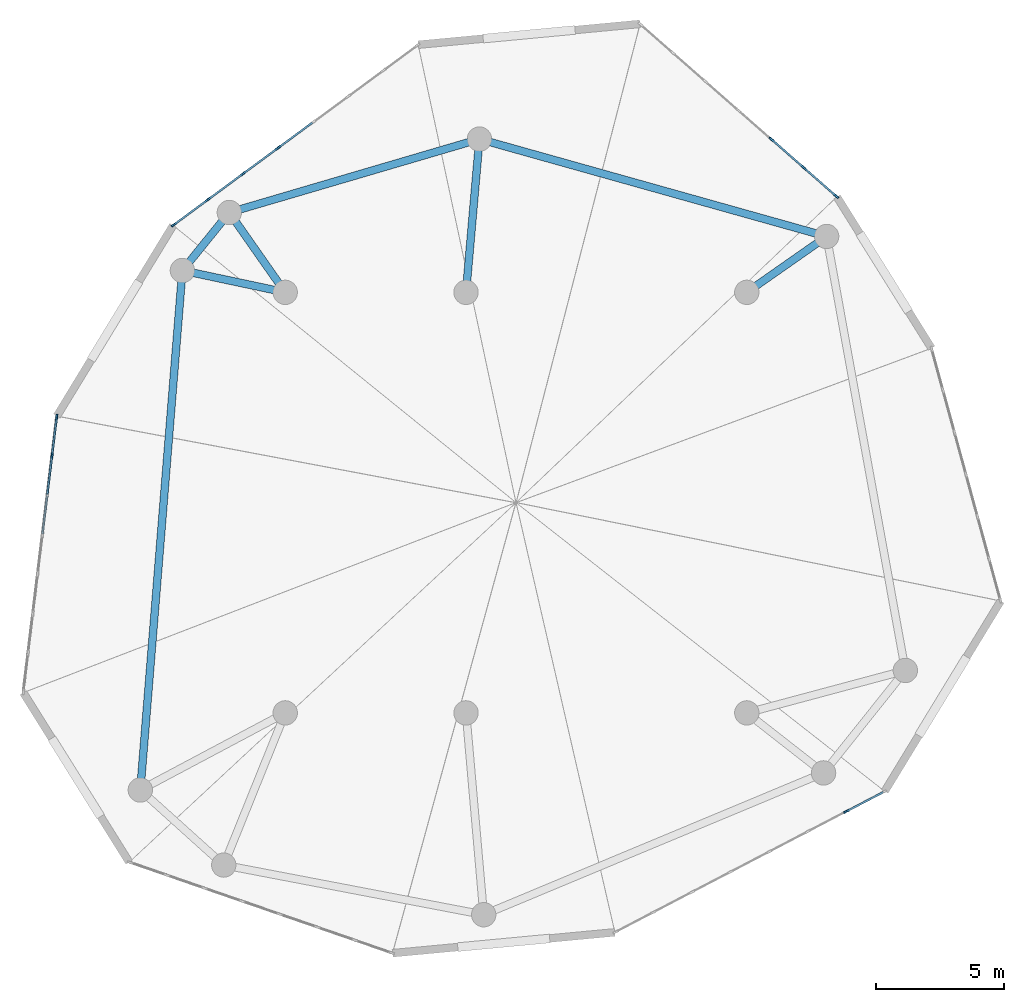
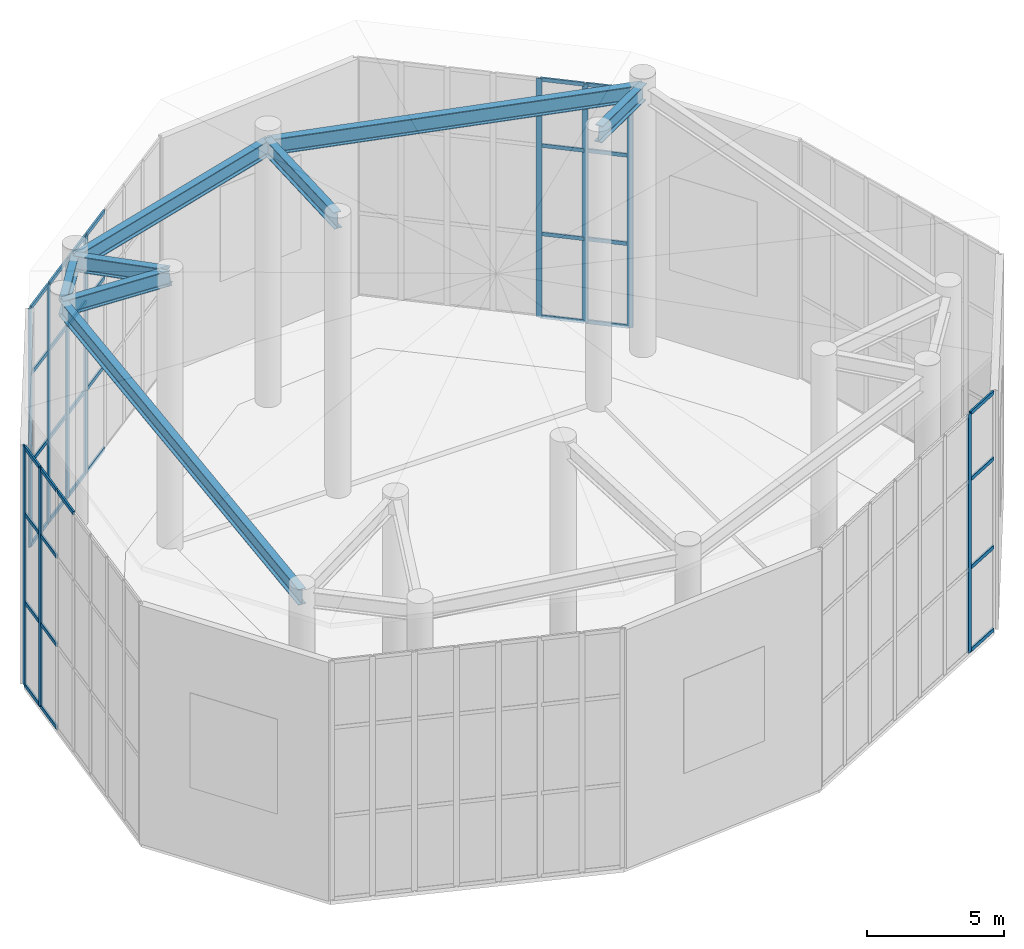
# One storey, part 3 of 8: 47 members, 8 beams, 4 elements without a shape of their own.
"""IFC4 building model written with IfcOpenShell, lengths in metres."""

from ifc_helpers import new_model, si_unit, direction, frame, origin, origin_with_axes, origin_2d, place, context, subcontext, project, spatial, rectangle, i_section, extrude, source, transform, mapped, material, layer, layer_set, material_profile, profile_set, type_object, element, aggregate, save


model = new_model("IFC4")

# Units and contexts
model_context = context("Model", 3, precision=1e-05, world=origin(), true_north=direction((0.0, 1.0)))
body_context = subcontext(model_context, "Body", "Model", "MODEL_VIEW")
ifc_project = project(units=[si_unit("LENGTHUNIT", "METRE"), si_unit("AREAUNIT", "SQUARE_METRE"), si_unit("VOLUMEUNIT", "CUBIC_METRE"), si_unit("PLANEANGLEUNIT", "RADIAN"), si_unit("MASSUNIT", "GRAM", prefix="KILO")], contexts=[model_context])

# Site, building, storey
site_placement = place(None, origin())
site = spatial("IfcSite", under=ifc_project, at=site_placement, CompositionType="ELEMENT")
building_placement = place(site_placement, origin())
building = spatial("IfcBuilding", under=site, at=building_placement, Name="Karkom Vertical University and Central Library", CompositionType="ELEMENT")
storey_placement = place(building_placement, frame((0.0, 0.0, 290.0)))
storey = spatial("IfcBuildingStorey", under=building, at=storey_placement, Name="R82", CompositionType="ELEMENT", Elevation=290.0)

# Beams
ifc_material_1 = material(Name="Steel S355", Category="steel")
ifc_material_profile_1 = material_profile(ifc_material_1, i_section(OverallWidth=0.300048828125, OverallDepth=0.699951171875, WebThickness=0.01708984375, FlangeThickness=0.031982421875, FilletRadius=0.027099609375, at=origin_2d()), Name="HE 700 B")
ifc_profile_set_1 = profile_set([ifc_material_profile_1], Name="Steel S355")
beam_type = type_object("IfcBeamType", Name="STR-BM-SB-HE700", PredefinedType="USERDEFINED", material=ifc_profile_set_1)
shared_shape_1 = source(origin_with_axes(), body_context, "Body", "SweptSolid", [
    extrude(i_section(OverallWidth=0.300048828125, OverallDepth=0.699951171875, WebThickness=0.01708984375, FlangeThickness=0.031982421875, FilletRadius=0.027099609375, at=origin_2d()), origin(), (0.0, 0.0, 1.0), 14.0625),
])
beam_1_placement = place(storey_placement, frame((40.613037109375, 36.8798828125, 11.580078125), z_axis=(-0.962854853531, 0.270019501207, 0.0), x_axis=(-0.270019501207, -0.962854853531, 0.0)))
element("IfcBeam", 1, at=beam_1_placement, inside=storey, type_object=beam_type, Name="Roof Level 82 Crown Top Cap Ring Beam 02", ObjectType="GIRDER", PredefinedType="USERDEFINED", context=body_context, shape_type="MappedRepresentation", body=[
    mapped(shared_shape_1, transform((0.0, 0.0, 0.0), scale=1.0)),
])
shared_shape_2 = source(origin_with_axes(), body_context, "Body", "SweptSolid", [
    extrude(i_section(OverallWidth=0.300048828125, OverallDepth=0.699951171875, WebThickness=0.01708984375, FlangeThickness=0.031982421875, FilletRadius=0.027099609375, at=origin_2d()), origin(), (0.0, 0.0, 1.0), 10.164794921875),
])
beam_2_placement = place(storey_placement, frame((27.072998046875, 40.677001953125, 11.580078125), z_axis=(-0.959485124536, -0.281759286971, 0.0), x_axis=(0.281759286971, -0.959485124536, 0.0)))
element("IfcBeam", 2, at=beam_2_placement, inside=storey, type_object=beam_type, Name="Roof Level 82 Crown Top Cap Ring Beam 03", ObjectType="GIRDER", PredefinedType="USERDEFINED", context=body_context, shape_type="MappedRepresentation", body=[
    mapped(shared_shape_2, transform((0.0, 0.0, 0.0), scale=1.0)),
])
shared_shape_3 = source(origin_with_axes(), body_context, "Body", "SweptSolid", [
    extrude(i_section(OverallWidth=0.300048828125, OverallDepth=0.699951171875, WebThickness=0.01708984375, FlangeThickness=0.031982421875, FilletRadius=0.027099609375, at=origin_2d()), origin(), (0.0, 0.0, 1.0), 2.908935546875),
])
beam_3_placement = place(storey_placement, frame((17.320068359375, 37.81298828125, 11.580078125), z_axis=(-0.629147523747, -0.777285914811, 0.0), x_axis=(0.777285914811, -0.629147523747, 0.0)))
element("IfcBeam", 3, at=beam_3_placement, inside=storey, type_object=beam_type, Name="Roof Level 82 Crown Top Cap Ring Beam 04", ObjectType="GIRDER", PredefinedType="USERDEFINED", context=body_context, shape_type="MappedRepresentation", body=[
    mapped(shared_shape_3, transform((0.0, 0.0, 0.0), scale=1.0)),
])
shared_shape_4 = source(origin_with_axes(), body_context, "Body", "SweptSolid", [
    extrude(i_section(OverallWidth=0.300048828125, OverallDepth=0.699951171875, WebThickness=0.01708984375, FlangeThickness=0.031982421875, FilletRadius=0.027099609375, at=origin_2d()), origin(), (0.0, 0.0, 1.0), 20.323486328125),
])
beam_4_placement = place(storey_placement, frame((15.489990234375, 35.552001953125, 11.580078125), z_axis=(-0.080737811681, -0.996735373991, 0.0), x_axis=(0.996735373991, -0.080737811681, 0.0)))
element("IfcBeam", 4, at=beam_4_placement, inside=storey, type_object=beam_type, Name="Roof Level 82 Crown Top Cap Ring Beam 05", ObjectType="GIRDER", PredefinedType="USERDEFINED", context=body_context, shape_type="MappedRepresentation", body=[
    mapped(shared_shape_4, transform((0.0, 0.0, 0.0), scale=1.0)),
])
shared_shape_5 = source(origin_with_axes(), body_context, "Body", "SweptSolid", [
    extrude(i_section(OverallWidth=0.300048828125, OverallDepth=0.699951171875, WebThickness=0.01708984375, FlangeThickness=0.031982421875, FilletRadius=0.027099609375, at=origin_2d()), origin(), (0.0, 0.0, 1.0), 3.833251953125),
])
for number, where, z_axis, x_axis, name in (
    (5, (37.5, 34.699951171875, 12.080078125), (0.81213373518, 0.568703797461, -0.130440741091), (-0.573604613627, 0.819132313625, 0.0), "Roof Level 82 Crown Rafter Girder 02"),
    (6, (19.5, 34.699951171875, 12.080078125), (-0.568703797461, 0.81213373518, -0.130440741091), (-0.819132313625, -0.573604613627, 0.0), "Roof Level 82 Crown Rafter Girder 04"),
):
    element("IfcBeam", number, at=place(storey_placement, frame(where, z_axis=z_axis, x_axis=x_axis)), inside=storey, type_object=beam_type, Name=name, ObjectType="GIRDER", PredefinedType="USERDEFINED", context=body_context, shape_type="MappedRepresentation", body=[
        mapped(shared_shape_5, transform((0.0, 0.0, 0.0), scale=1.0)),
    ])
shared_shape_6 = source(origin_with_axes(), body_context, "Body", "SweptSolid", [
    extrude(i_section(OverallWidth=0.300048828125, OverallDepth=0.699951171875, WebThickness=0.01708984375, FlangeThickness=0.031982421875, FilletRadius=0.027099609375, at=origin_2d()), origin(), (0.0, 0.0, 1.0), 6.020751953125),
])
beam_5_placement = place(storey_placement, frame((26.550048828125, 34.699951171875, 12.080078125), z_axis=(0.086858800621, 0.992753107746, -0.083047069874), x_axis=(-0.996194335816, 0.087159883478, 0.0)))
element("IfcBeam", 7, at=beam_5_placement, inside=storey, type_object=beam_type, Name="Roof Level 82 Crown Rafter Girder 03", ObjectType="GIRDER", PredefinedType="USERDEFINED", context=body_context, shape_type="MappedRepresentation", body=[
    mapped(shared_shape_6, transform((0.0, 0.0, 0.0), scale=1.0)),
])
shared_shape_7 = source(origin_with_axes(), body_context, "Body", "SweptSolid", [
    extrude(i_section(OverallWidth=0.300048828125, OverallDepth=0.699951171875, WebThickness=0.01708984375, FlangeThickness=0.031982421875, FilletRadius=0.027099609375, at=origin_2d()), origin(), (0.0, 0.0, 1.0), 4.1298828125),
])
beam_6_placement = place(storey_placement, frame((19.5, 34.699951171875, 12.080078125), z_axis=(-0.970967485019, 0.20631211706, -0.121067970126), x_axis=(-0.207840949453, -0.978162634602, 0.0)))
element("IfcBeam", 8, at=beam_6_placement, inside=storey, type_object=beam_type, Name="Roof Level 82 Crown Rafter Girder 05", ObjectType="GIRDER", PredefinedType="USERDEFINED", context=body_context, shape_type="MappedRepresentation", body=[
    mapped(shared_shape_7, transform((0.0, 0.0, 0.0), scale=1.0)),
])

# Curtain wall, member
ifc_material_2 = material(Name="Aluminium curtain-wall framing and low-E IGU", Category="aluminium")
ifc_layer = layer(ifc_material_2, 0.199951171875)
ifc_layer_set = layer_set([ifc_layer], Name="Aluminium curtain-wall framing and low-E IGU")
curtain_wall_type = type_object("IfcCurtainWallType", Name="ENV-CW-6", PredefinedType="USERDEFINED", material=ifc_layer_set)
curtain_wall_1_placement = place(storey_placement, origin())
curtain_wall_1 = element("IfcCurtainWall", 9, at=curtain_wall_1_placement, inside=storey, type_object=curtain_wall_type, Name="Roof Level 82 CW-6 Curtain Wall R82-CW6-04", ObjectType="UNITISED GLAZING", PredefinedType="USERDEFINED")
ifc_material_3 = material(Name="Anodised Aluminium 6063-T6", Category="aluminium")
ifc_material_profile_2 = material_profile(ifc_material_3, rectangle(XDim=0.074951171875, YDim=0.219970703125, at=origin_2d()), Name="ALU-M75x220")
ifc_profile_set_2 = profile_set([ifc_material_profile_2], Name="Anodised Aluminium 6063-T6")
member_type_1 = type_object("IfcMemberType", Name="ENV-MEM-ALU-M75x220", PredefinedType="MULLION", material=ifc_profile_set_2)
shared_shape_8 = source(origin_with_axes(), body_context, "Body", "SweptSolid", [
    extrude(rectangle(XDim=0.074951171875, YDim=0.219970703125, at=origin_2d()), origin(), (0.0, 0.0, 1.0), 10.60009765625),
])
member_1_placement = place(storey_placement, frame((41.376708984375, 14.45556640625, 0.0), z_axis=(0.0, 0.0, 1.0), x_axis=(-0.463283516735, 0.886210123572, 0.0)))
member_1 = element("IfcMember", 10, at=member_1_placement, type_object=member_type_1, Name="CW-6 mullion 7", PredefinedType="MULLION", context=body_context, shape_type="MappedRepresentation", body=[
    mapped(shared_shape_8, transform((0.0, 0.0, 0.0), scale=1.0)),
])

# Curtain wall, members
curtain_wall_2_placement = place(storey_placement, origin())
curtain_wall_2 = element("IfcCurtainWall", 11, at=curtain_wall_2_placement, inside=storey, type_object=curtain_wall_type, Name="Roof Level 82 CW-6 Curtain Wall R82-CW6-08", ObjectType="UNITISED GLAZING", PredefinedType="USERDEFINED")
member_2_placement = place(storey_placement, frame((40.989013671875, 38.4482421875, 0.0), z_axis=(0.0, 0.0, 1.0), x_axis=(-0.659935992158, -0.75132182602, 0.0)))
member_2 = element("IfcMember", 12, at=member_2_placement, type_object=member_type_1, Name="CW-6 mullion 1", PredefinedType="MULLION", context=body_context, shape_type="MappedRepresentation", body=[
    mapped(shared_shape_8, transform((0.0, 0.0, 0.0), scale=1.0)),
])
member_3_placement = place(storey_placement, frame((39.737060546875, 39.548095703125, 0.0), z_axis=(0.0, 0.0, 1.0), x_axis=(-0.659935992158, -0.75132182602, 0.0)))
member_3 = element("IfcMember", 13, at=member_3_placement, type_object=member_type_1, Name="CW-6 mullion 2", PredefinedType="MULLION", context=body_context, shape_type="MappedRepresentation", body=[
    mapped(shared_shape_8, transform((0.0, 0.0, 0.0), scale=1.0)),
])
member_4_placement = place(storey_placement, frame((38.45654296875, 40.6728515625, 0.0), z_axis=(0.0, 0.0, 1.0), x_axis=(-0.659935992158, -0.75132182602, 0.0)))
member_4 = element("IfcMember", 14, at=member_4_placement, type_object=member_type_1, Name="CW-6 mullion 3", PredefinedType="MULLION", context=body_context, shape_type="MappedRepresentation", body=[
    mapped(shared_shape_8, transform((0.0, 0.0, 0.0), scale=1.0)),
])

curtain_wall_3_placement = place(storey_placement, origin())
curtain_wall_3 = element("IfcCurtainWall", 15, at=curtain_wall_3_placement, inside=storey, type_object=curtain_wall_type, Name="Roof Level 82 CW-6 Curtain Wall R82-CW6-10", ObjectType="UNITISED GLAZING", PredefinedType="USERDEFINED")
member_5_placement = place(storey_placement, frame((19.222412109375, 40.332763671875, 0.0), z_axis=(0.0, 0.0, 1.0), x_axis=(0.593428498713, -0.804886710609, 0.0)))
member_5 = element("IfcMember", 16, at=member_5_placement, type_object=member_type_1, Name="CW-6 mullion 5", PredefinedType="MULLION", context=body_context, shape_type="MappedRepresentation", body=[
    mapped(shared_shape_8, transform((0.0, 0.0, 0.0), scale=1.0)),
])
member_6_placement = place(storey_placement, frame((17.85693359375, 39.325927734375, 0.0), z_axis=(0.0, 0.0, 1.0), x_axis=(0.593428498713, -0.804886710609, 0.0)))
member_6 = element("IfcMember", 17, at=member_6_placement, type_object=member_type_1, Name="CW-6 mullion 6", PredefinedType="MULLION", context=body_context, shape_type="MappedRepresentation", body=[
    mapped(shared_shape_8, transform((0.0, 0.0, 0.0), scale=1.0)),
])
member_7_placement = place(storey_placement, frame((16.4912109375, 38.319091796875, 0.0), z_axis=(0.0, 0.0, 1.0), x_axis=(0.593428498713, -0.804886710609, 0.0)))
member_7 = element("IfcMember", 18, at=member_7_placement, type_object=member_type_1, Name="CW-6 mullion 7", PredefinedType="MULLION", context=body_context, shape_type="MappedRepresentation", body=[
    mapped(shared_shape_8, transform((0.0, 0.0, 0.0), scale=1.0)),
])
member_8_placement = place(storey_placement, frame((15.15576171875, 37.33447265625, 0.0), z_axis=(0.0, 0.0, 1.0), x_axis=(0.593428498713, -0.804886710609, 0.0)))
member_8 = element("IfcMember", 19, at=member_8_placement, type_object=member_type_1, Name="CW-6 mullion 8", PredefinedType="MULLION", context=body_context, shape_type="MappedRepresentation", body=[
    mapped(shared_shape_8, transform((0.0, 0.0, 0.0), scale=1.0)),
])

curtain_wall_4_placement = place(storey_placement, origin())
curtain_wall_4 = element("IfcCurtainWall", 20, at=curtain_wall_4_placement, inside=storey, type_object=curtain_wall_type, Name="Roof Level 82 CW-6 Curtain Wall R82-CW6-12", ObjectType="UNITISED GLAZING", PredefinedType="USERDEFINED")
member_9_placement = place(storey_placement, frame((10.59033203125, 29.83984375, 0.0), z_axis=(0.0, 0.0, 1.0), x_axis=(0.992706880389, -0.12055309879, 0.0)))
member_9 = element("IfcMember", 21, at=member_9_placement, type_object=member_type_1, Name="CW-6 mullion 1", PredefinedType="MULLION", context=body_context, shape_type="MappedRepresentation", body=[
    mapped(shared_shape_8, transform((0.0, 0.0, 0.0), scale=1.0)),
])
member_10_placement = place(storey_placement, frame((10.40771484375, 28.335693359375, 0.0), z_axis=(0.0, 0.0, 1.0), x_axis=(0.992706880389, -0.12055309879, 0.0)))
member_10 = element("IfcMember", 22, at=member_10_placement, type_object=member_type_1, Name="CW-6 mullion 2", PredefinedType="MULLION", context=body_context, shape_type="MappedRepresentation", body=[
    mapped(shared_shape_8, transform((0.0, 0.0, 0.0), scale=1.0)),
])
ifc_material_profile_3 = material_profile(ifc_material_3, rectangle(XDim=0.074951171875, YDim=0.1650390625, at=origin_2d()), Name="ALU-T75x165")
ifc_profile_set_3 = profile_set([ifc_material_profile_3], Name="Anodised Aluminium 6063-T6")
member_type_2 = type_object("IfcMemberType", Name="ENV-MEM-ALU-T75x165", PredefinedType="USERDEFINED", material=ifc_profile_set_3)
shared_shape_9 = source(origin_with_axes(), body_context, "Body", "SweptSolid", [
    extrude(rectangle(XDim=0.074951171875, YDim=0.1650390625, at=origin_2d()), origin(), (0.0, 0.0, 1.0), 1.440185546875),
])
member_11_placement = place(storey_placement, frame((10.5859375, 29.802490234375, 0.03759765625), z_axis=(-0.120528806222, -0.992709830147, 0.0), x_axis=(0.992709830147, -0.120528806222, 0.0)))
member_11 = element("IfcMember", 23, at=member_11_placement, type_object=member_type_2, Name="CW-6 transom 1.1", ObjectType="TRANSOM", PredefinedType="USERDEFINED", context=body_context, shape_type="MappedRepresentation", body=[
    mapped(shared_shape_9, transform((0.0, 0.0, 0.0), scale=1.0)),
])
member_12_placement = place(storey_placement, frame((10.5859375, 29.802490234375, 3.7099609375), z_axis=(-0.120528806222, -0.992709830147, 0.0), x_axis=(0.992709830147, -0.120528806222, 0.0)))
member_12 = element("IfcMember", 24, at=member_12_placement, type_object=member_type_2, Name="CW-6 transom 1.2", ObjectType="TRANSOM", PredefinedType="USERDEFINED", context=body_context, shape_type="MappedRepresentation", body=[
    mapped(shared_shape_9, transform((0.0, 0.0, 0.0), scale=1.0)),
])
member_13_placement = place(storey_placement, frame((10.5859375, 29.802490234375, 7.632080078125), z_axis=(-0.120528806222, -0.992709830147, 0.0), x_axis=(0.992709830147, -0.120528806222, 0.0)))
member_13 = element("IfcMember", 25, at=member_13_placement, type_object=member_type_2, Name="CW-6 transom 1.3", ObjectType="TRANSOM", PredefinedType="USERDEFINED", context=body_context, shape_type="MappedRepresentation", body=[
    mapped(shared_shape_9, transform((0.0, 0.0, 0.0), scale=1.0)),
])
member_14_placement = place(storey_placement, frame((10.5859375, 29.802490234375, 10.5625), z_axis=(-0.120528806222, -0.992709830147, 0.0), x_axis=(0.992709830147, -0.120528806222, 0.0)))
member_14 = element("IfcMember", 26, at=member_14_placement, type_object=member_type_2, Name="CW-6 transom 1.4", ObjectType="TRANSOM", PredefinedType="USERDEFINED", context=body_context, shape_type="MappedRepresentation", body=[
    mapped(shared_shape_9, transform((0.0, 0.0, 0.0), scale=1.0)),
])
shared_shape_10 = source(origin_with_axes(), body_context, "Body", "SweptSolid", [
    extrude(rectangle(XDim=0.074951171875, YDim=0.1650390625, at=origin_2d()), origin(), (0.0, 0.0, 1.0), 1.477783203125),
])
member_15_placement = place(storey_placement, frame((10.216064453125, 26.757080078125, 10.5625), z_axis=(-0.12059778015, -0.99270145332, 0.0), x_axis=(0.99270145332, -0.12059778015, 0.0)))
member_15 = element("IfcMember", 27, at=member_15_placement, type_object=member_type_2, Name="CW-6 transom 3.4", ObjectType="TRANSOM", PredefinedType="USERDEFINED", context=body_context, shape_type="MappedRepresentation", body=[
    mapped(shared_shape_10, transform((0.0, 0.0, 0.0), scale=1.0)),
])
shared_shape_11 = source(origin_with_axes(), body_context, "Body", "SweptSolid", [
    extrude(rectangle(XDim=0.074951171875, YDim=0.1650390625, at=origin_2d()), origin(), (0.0, 0.0, 1.0), 1.4775390625),
])
member_16_placement = place(storey_placement, frame((10.403076171875, 28.29833984375, 0.03759765625), z_axis=(-0.120454730465, -0.992718821172, 0.0), x_axis=(0.992718821172, -0.120454730465, 0.0)))
member_16 = element("IfcMember", 28, at=member_16_placement, type_object=member_type_2, Name="CW-6 transom 2.1", ObjectType="TRANSOM", PredefinedType="USERDEFINED", context=body_context, shape_type="MappedRepresentation", body=[
    mapped(shared_shape_11, transform((0.0, 0.0, 0.0), scale=1.0)),
])
member_17_placement = place(storey_placement, frame((10.403076171875, 28.29833984375, 3.7099609375), z_axis=(-0.120454730465, -0.992718821172, 0.0), x_axis=(0.992718821172, -0.120454730465, 0.0)))
member_17 = element("IfcMember", 29, at=member_17_placement, type_object=member_type_2, Name="CW-6 transom 2.2", ObjectType="TRANSOM", PredefinedType="USERDEFINED", context=body_context, shape_type="MappedRepresentation", body=[
    mapped(shared_shape_11, transform((0.0, 0.0, 0.0), scale=1.0)),
])
member_18_placement = place(storey_placement, frame((10.403076171875, 28.29833984375, 7.632080078125), z_axis=(-0.120454730465, -0.992718821172, 0.0), x_axis=(0.992718821172, -0.120454730465, 0.0)))
member_18 = element("IfcMember", 30, at=member_18_placement, type_object=member_type_2, Name="CW-6 transom 2.3", ObjectType="TRANSOM", PredefinedType="USERDEFINED", context=body_context, shape_type="MappedRepresentation", body=[
    mapped(shared_shape_11, transform((0.0, 0.0, 0.0), scale=1.0)),
])
member_19_placement = place(storey_placement, frame((10.403076171875, 28.29833984375, 10.5625), z_axis=(-0.120454730465, -0.992718821172, 0.0), x_axis=(0.992718821172, -0.120454730465, 0.0)))
member_19 = element("IfcMember", 31, at=member_19_placement, type_object=member_type_2, Name="CW-6 transom 2.4", ObjectType="TRANSOM", PredefinedType="USERDEFINED", context=body_context, shape_type="MappedRepresentation", body=[
    mapped(shared_shape_11, transform((0.0, 0.0, 0.0), scale=1.0)),
])
aggregate(curtain_wall_4, [member_9, member_10, member_11, member_12, member_13, member_14, member_16, member_17, member_18, member_19, member_15])

# Member
shared_shape_12 = source(origin_with_axes(), body_context, "Body", "SweptSolid", [
    extrude(rectangle(XDim=0.074951171875, YDim=0.1650390625, at=origin_2d()), origin(), (0.0, 0.0, 1.0), 1.583984375),
])
member_20_placement = place(storey_placement, frame((41.409912109375, 14.472900390625, 0.03759765625), z_axis=(0.886205310266, 0.463292723941, 0.0), x_axis=(-0.463292723941, 0.886205310266, 0.0)))
member_20 = element("IfcMember", 32, at=member_20_placement, type_object=member_type_2, Name="CW-6 transom 7.1", ObjectType="TRANSOM", PredefinedType="USERDEFINED", context=body_context, shape_type="MappedRepresentation", body=[
    mapped(shared_shape_12, transform((0.0, 0.0, 0.0), scale=1.0)),
])

member_21_placement = place(storey_placement, frame((41.409912109375, 14.472900390625, 3.7099609375), z_axis=(0.886205310266, 0.463292723941, 0.0), x_axis=(-0.463292723941, 0.886205310266, 0.0)))
member_21 = element("IfcMember", 33, at=member_21_placement, type_object=member_type_2, Name="CW-6 transom 7.2", ObjectType="TRANSOM", PredefinedType="USERDEFINED", context=body_context, shape_type="MappedRepresentation", body=[
    mapped(shared_shape_12, transform((0.0, 0.0, 0.0), scale=1.0)),
])

member_22_placement = place(storey_placement, frame((41.409912109375, 14.472900390625, 7.632080078125), z_axis=(0.886205310266, 0.463292723941, 0.0), x_axis=(-0.463292723941, 0.886205310266, 0.0)))
member_22 = element("IfcMember", 34, at=member_22_placement, type_object=member_type_2, Name="CW-6 transom 7.3", ObjectType="TRANSOM", PredefinedType="USERDEFINED", context=body_context, shape_type="MappedRepresentation", body=[
    mapped(shared_shape_12, transform((0.0, 0.0, 0.0), scale=1.0)),
])

member_23_placement = place(storey_placement, frame((41.409912109375, 14.472900390625, 10.5625), z_axis=(0.886205310266, 0.463292723941, 0.0), x_axis=(-0.463292723941, 0.886205310266, 0.0)))
member_23 = element("IfcMember", 35, at=member_23_placement, type_object=member_type_2, Name="CW-6 transom 7.4", ObjectType="TRANSOM", PredefinedType="USERDEFINED", context=body_context, shape_type="MappedRepresentation", body=[
    mapped(shared_shape_12, transform((0.0, 0.0, 0.0), scale=1.0)),
])

aggregate(curtain_wall_1, [member_1, member_20, member_21, member_22, member_23])

member_24_placement = place(storey_placement, frame((16.4609375, 38.296875, 0.03759765625), z_axis=(-0.804819473173, -0.593519684257, 0.0), x_axis=(0.593519684257, -0.804819473173, 0.0)))
member_24 = element("IfcMember", 36, at=member_24_placement, type_object=member_type_2, Name="CW-6 transom 7.1", ObjectType="TRANSOM", PredefinedType="USERDEFINED", context=body_context, shape_type="MappedRepresentation", body=[
    mapped(shared_shape_12, transform((0.0, 0.0, 0.0), scale=1.0)),
])

member_25_placement = place(storey_placement, frame((16.4609375, 38.296875, 3.7099609375), z_axis=(-0.804819473173, -0.593519684257, 0.0), x_axis=(0.593519684257, -0.804819473173, 0.0)))
member_25 = element("IfcMember", 37, at=member_25_placement, type_object=member_type_2, Name="CW-6 transom 7.2", ObjectType="TRANSOM", PredefinedType="USERDEFINED", context=body_context, shape_type="MappedRepresentation", body=[
    mapped(shared_shape_12, transform((0.0, 0.0, 0.0), scale=1.0)),
])

member_26_placement = place(storey_placement, frame((16.4609375, 38.296875, 7.632080078125), z_axis=(-0.804819473173, -0.593519684257, 0.0), x_axis=(0.593519684257, -0.804819473173, 0.0)))
member_26 = element("IfcMember", 38, at=member_26_placement, type_object=member_type_2, Name="CW-6 transom 7.3", ObjectType="TRANSOM", PredefinedType="USERDEFINED", context=body_context, shape_type="MappedRepresentation", body=[
    mapped(shared_shape_12, transform((0.0, 0.0, 0.0), scale=1.0)),
])

member_27_placement = place(storey_placement, frame((16.4609375, 38.296875, 10.5625), z_axis=(-0.804819473173, -0.593519684257, 0.0), x_axis=(0.593519684257, -0.804819473173, 0.0)))
member_27 = element("IfcMember", 39, at=member_27_placement, type_object=member_type_2, Name="CW-6 transom 7.4", ObjectType="TRANSOM", PredefinedType="USERDEFINED", context=body_context, shape_type="MappedRepresentation", body=[
    mapped(shared_shape_12, transform((0.0, 0.0, 0.0), scale=1.0)),
])

shared_shape_13 = source(origin_with_axes(), body_context, "Body", "SweptSolid", [
    extrude(rectangle(XDim=0.074951171875, YDim=0.1650390625, at=origin_2d()), origin(), (0.0, 0.0, 1.0), 1.62158203125),
])
member_28_placement = place(storey_placement, frame((20.557861328125, 41.3173828125, 0.03759765625), z_axis=(-0.804851449595, -0.593476321419, 0.0), x_axis=(0.593476321419, -0.804851449595, 0.0)))
member_28 = element("IfcMember", 40, at=member_28_placement, type_object=member_type_2, Name="CW-6 transom 4.1", ObjectType="TRANSOM", PredefinedType="USERDEFINED", context=body_context, shape_type="MappedRepresentation", body=[
    mapped(shared_shape_13, transform((0.0, 0.0, 0.0), scale=1.0)),
])

member_29_placement = place(storey_placement, frame((20.557861328125, 41.3173828125, 3.7099609375), z_axis=(-0.804851449595, -0.593476321419, 0.0), x_axis=(0.593476321419, -0.804851449595, 0.0)))
member_29 = element("IfcMember", 41, at=member_29_placement, type_object=member_type_2, Name="CW-6 transom 4.2", ObjectType="TRANSOM", PredefinedType="USERDEFINED", context=body_context, shape_type="MappedRepresentation", body=[
    mapped(shared_shape_13, transform((0.0, 0.0, 0.0), scale=1.0)),
])

member_30_placement = place(storey_placement, frame((20.557861328125, 41.3173828125, 7.632080078125), z_axis=(-0.804851449595, -0.593476321419, 0.0), x_axis=(0.593476321419, -0.804851449595, 0.0)))
member_30 = element("IfcMember", 42, at=member_30_placement, type_object=member_type_2, Name="CW-6 transom 4.3", ObjectType="TRANSOM", PredefinedType="USERDEFINED", context=body_context, shape_type="MappedRepresentation", body=[
    mapped(shared_shape_13, transform((0.0, 0.0, 0.0), scale=1.0)),
])

member_31_placement = place(storey_placement, frame((20.557861328125, 41.3173828125, 10.5625), z_axis=(-0.804851449595, -0.593476321419, 0.0), x_axis=(0.593476321419, -0.804851449595, 0.0)))
member_31 = element("IfcMember", 43, at=member_31_placement, type_object=member_type_2, Name="CW-6 transom 4.4", ObjectType="TRANSOM", PredefinedType="USERDEFINED", context=body_context, shape_type="MappedRepresentation", body=[
    mapped(shared_shape_13, transform((0.0, 0.0, 0.0), scale=1.0)),
])

member_32_placement = place(storey_placement, frame((19.192138671875, 40.310546875, 0.03759765625), z_axis=(-0.804851449595, -0.593476321419, 0.0), x_axis=(0.593476321419, -0.804851449595, 0.0)))
member_32 = element("IfcMember", 44, at=member_32_placement, type_object=member_type_2, Name="CW-6 transom 5.1", ObjectType="TRANSOM", PredefinedType="USERDEFINED", context=body_context, shape_type="MappedRepresentation", body=[
    mapped(shared_shape_13, transform((0.0, 0.0, 0.0), scale=1.0)),
])

member_33_placement = place(storey_placement, frame((19.192138671875, 40.310546875, 3.7099609375), z_axis=(-0.804851449595, -0.593476321419, 0.0), x_axis=(0.593476321419, -0.804851449595, 0.0)))
member_33 = element("IfcMember", 45, at=member_33_placement, type_object=member_type_2, Name="CW-6 transom 5.2", ObjectType="TRANSOM", PredefinedType="USERDEFINED", context=body_context, shape_type="MappedRepresentation", body=[
    mapped(shared_shape_13, transform((0.0, 0.0, 0.0), scale=1.0)),
])

member_34_placement = place(storey_placement, frame((19.192138671875, 40.310546875, 7.632080078125), z_axis=(-0.804851449595, -0.593476321419, 0.0), x_axis=(0.593476321419, -0.804851449595, 0.0)))
member_34 = element("IfcMember", 46, at=member_34_placement, type_object=member_type_2, Name="CW-6 transom 5.3", ObjectType="TRANSOM", PredefinedType="USERDEFINED", context=body_context, shape_type="MappedRepresentation", body=[
    mapped(shared_shape_13, transform((0.0, 0.0, 0.0), scale=1.0)),
])

member_35_placement = place(storey_placement, frame((19.192138671875, 40.310546875, 10.5625), z_axis=(-0.804851449595, -0.593476321419, 0.0), x_axis=(0.593476321419, -0.804851449595, 0.0)))
member_35 = element("IfcMember", 47, at=member_35_placement, type_object=member_type_2, Name="CW-6 transom 5.4", ObjectType="TRANSOM", PredefinedType="USERDEFINED", context=body_context, shape_type="MappedRepresentation", body=[
    mapped(shared_shape_13, transform((0.0, 0.0, 0.0), scale=1.0)),
])

member_36_placement = place(storey_placement, frame((17.82666015625, 39.3037109375, 0.03759765625), z_axis=(-0.804851449595, -0.593476321419, 0.0), x_axis=(0.593476321419, -0.804851449595, 0.0)))
member_36 = element("IfcMember", 48, at=member_36_placement, type_object=member_type_2, Name="CW-6 transom 6.1", ObjectType="TRANSOM", PredefinedType="USERDEFINED", context=body_context, shape_type="MappedRepresentation", body=[
    mapped(shared_shape_13, transform((0.0, 0.0, 0.0), scale=1.0)),
])

member_37_placement = place(storey_placement, frame((17.82666015625, 39.3037109375, 3.7099609375), z_axis=(-0.804851449595, -0.593476321419, 0.0), x_axis=(0.593476321419, -0.804851449595, 0.0)))
member_37 = element("IfcMember", 49, at=member_37_placement, type_object=member_type_2, Name="CW-6 transom 6.2", ObjectType="TRANSOM", PredefinedType="USERDEFINED", context=body_context, shape_type="MappedRepresentation", body=[
    mapped(shared_shape_13, transform((0.0, 0.0, 0.0), scale=1.0)),
])

member_38_placement = place(storey_placement, frame((17.82666015625, 39.3037109375, 7.632080078125), z_axis=(-0.804851449595, -0.593476321419, 0.0), x_axis=(0.593476321419, -0.804851449595, 0.0)))
member_38 = element("IfcMember", 50, at=member_38_placement, type_object=member_type_2, Name="CW-6 transom 6.3", ObjectType="TRANSOM", PredefinedType="USERDEFINED", context=body_context, shape_type="MappedRepresentation", body=[
    mapped(shared_shape_13, transform((0.0, 0.0, 0.0), scale=1.0)),
])

member_39_placement = place(storey_placement, frame((17.82666015625, 39.3037109375, 10.5625), z_axis=(-0.804851449595, -0.593476321419, 0.0), x_axis=(0.593476321419, -0.804851449595, 0.0)))
member_39 = element("IfcMember", 51, at=member_39_placement, type_object=member_type_2, Name="CW-6 transom 6.4", ObjectType="TRANSOM", PredefinedType="USERDEFINED", context=body_context, shape_type="MappedRepresentation", body=[
    mapped(shared_shape_13, transform((0.0, 0.0, 0.0), scale=1.0)),
])

aggregate(curtain_wall_3, [member_5, member_6, member_7, member_8, member_28, member_29, member_30, member_31, member_32, member_33, member_34, member_35, member_36, member_37, member_38, member_39, member_24, member_25, member_26, member_27])

shared_shape_14 = source(origin_with_axes(), body_context, "Body", "SweptSolid", [
    extrude(rectangle(XDim=0.074951171875, YDim=0.1650390625, at=origin_2d()), origin(), (0.0, 0.0, 1.0), 1.591796875),
])
member_40_placement = place(storey_placement, frame((40.9609375, 38.472900390625, 0.03759765625), z_axis=(-0.751263992103, 0.660001828914, 0.0), x_axis=(-0.660001828914, -0.751263992103, 0.0)))
member_40 = element("IfcMember", 52, at=member_40_placement, type_object=member_type_2, Name="CW-6 transom 1.1", ObjectType="TRANSOM", PredefinedType="USERDEFINED", context=body_context, shape_type="MappedRepresentation", body=[
    mapped(shared_shape_14, transform((0.0, 0.0, 0.0), scale=1.0)),
])

member_41_placement = place(storey_placement, frame((40.9609375, 38.472900390625, 3.7099609375), z_axis=(-0.751263992103, 0.660001828914, 0.0), x_axis=(-0.660001828914, -0.751263992103, 0.0)))
member_41 = element("IfcMember", 53, at=member_41_placement, type_object=member_type_2, Name="CW-6 transom 1.2", ObjectType="TRANSOM", PredefinedType="USERDEFINED", context=body_context, shape_type="MappedRepresentation", body=[
    mapped(shared_shape_14, transform((0.0, 0.0, 0.0), scale=1.0)),
])

member_42_placement = place(storey_placement, frame((40.9609375, 38.472900390625, 7.632080078125), z_axis=(-0.751263992103, 0.660001828914, 0.0), x_axis=(-0.660001828914, -0.751263992103, 0.0)))
member_42 = element("IfcMember", 54, at=member_42_placement, type_object=member_type_2, Name="CW-6 transom 1.3", ObjectType="TRANSOM", PredefinedType="USERDEFINED", context=body_context, shape_type="MappedRepresentation", body=[
    mapped(shared_shape_14, transform((0.0, 0.0, 0.0), scale=1.0)),
])

member_43_placement = place(storey_placement, frame((40.9609375, 38.472900390625, 10.5625), z_axis=(-0.751263992103, 0.660001828914, 0.0), x_axis=(-0.660001828914, -0.751263992103, 0.0)))
member_43 = element("IfcMember", 55, at=member_43_placement, type_object=member_type_2, Name="CW-6 transom 1.4", ObjectType="TRANSOM", PredefinedType="USERDEFINED", context=body_context, shape_type="MappedRepresentation", body=[
    mapped(shared_shape_14, transform((0.0, 0.0, 0.0), scale=1.0)),
])

shared_shape_15 = source(origin_with_axes(), body_context, "Body", "SweptSolid", [
    extrude(rectangle(XDim=0.074951171875, YDim=0.1650390625, at=origin_2d()), origin(), (0.0, 0.0, 1.0), 1.629150390625),
])
member_44_placement = place(storey_placement, frame((39.708740234375, 39.57275390625, 0.03759765625), z_axis=(-0.75126622224, 0.659999290394, 0.0), x_axis=(-0.659999290394, -0.75126622224, 0.0)))
member_44 = element("IfcMember", 56, at=member_44_placement, type_object=member_type_2, Name="CW-6 transom 2.1", ObjectType="TRANSOM", PredefinedType="USERDEFINED", context=body_context, shape_type="MappedRepresentation", body=[
    mapped(shared_shape_15, transform((0.0, 0.0, 0.0), scale=1.0)),
])

member_45_placement = place(storey_placement, frame((39.708740234375, 39.57275390625, 3.7099609375), z_axis=(-0.75126622224, 0.659999290394, 0.0), x_axis=(-0.659999290394, -0.75126622224, 0.0)))
member_45 = element("IfcMember", 57, at=member_45_placement, type_object=member_type_2, Name="CW-6 transom 2.2", ObjectType="TRANSOM", PredefinedType="USERDEFINED", context=body_context, shape_type="MappedRepresentation", body=[
    mapped(shared_shape_15, transform((0.0, 0.0, 0.0), scale=1.0)),
])

member_46_placement = place(storey_placement, frame((39.708740234375, 39.57275390625, 7.632080078125), z_axis=(-0.75126622224, 0.659999290394, 0.0), x_axis=(-0.659999290394, -0.75126622224, 0.0)))
member_46 = element("IfcMember", 58, at=member_46_placement, type_object=member_type_2, Name="CW-6 transom 2.3", ObjectType="TRANSOM", PredefinedType="USERDEFINED", context=body_context, shape_type="MappedRepresentation", body=[
    mapped(shared_shape_15, transform((0.0, 0.0, 0.0), scale=1.0)),
])

member_47_placement = place(storey_placement, frame((39.708740234375, 39.57275390625, 10.5625), z_axis=(-0.75126622224, 0.659999290394, 0.0), x_axis=(-0.659999290394, -0.75126622224, 0.0)))
member_47 = element("IfcMember", 59, at=member_47_placement, type_object=member_type_2, Name="CW-6 transom 2.4", ObjectType="TRANSOM", PredefinedType="USERDEFINED", context=body_context, shape_type="MappedRepresentation", body=[
    mapped(shared_shape_15, transform((0.0, 0.0, 0.0), scale=1.0)),
])

aggregate(curtain_wall_2, [member_2, member_3, member_4, member_40, member_41, member_42, member_43, member_44, member_45, member_46, member_47])

save(model, "model.ifc")
